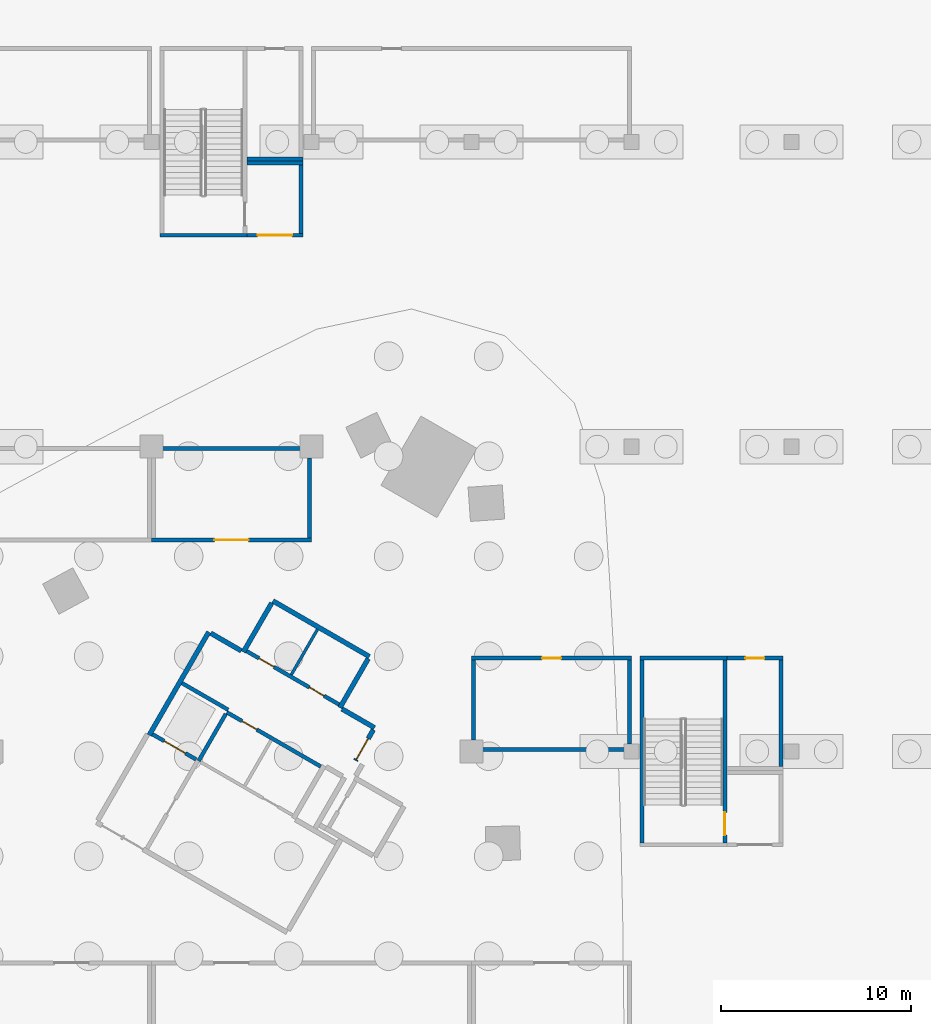
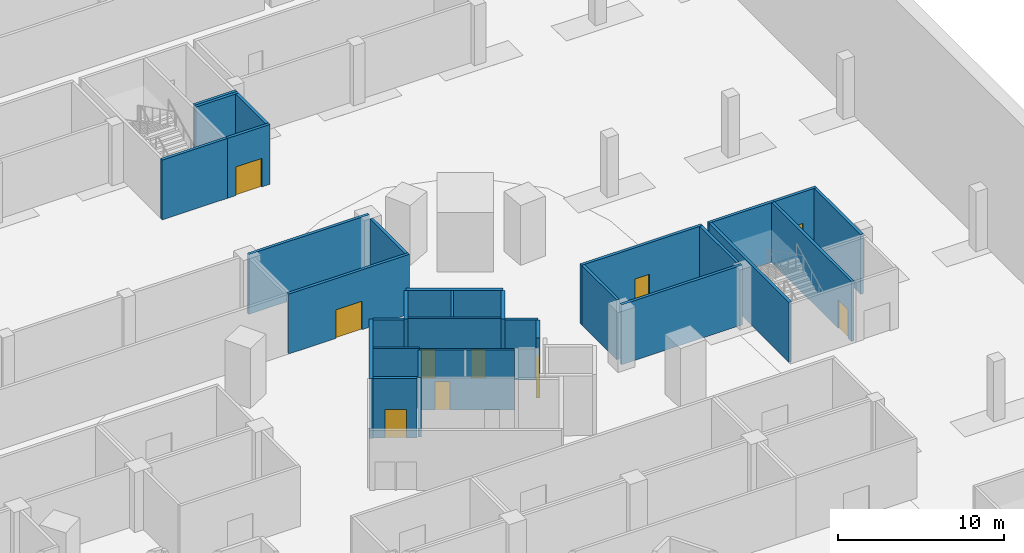
# One storey, part 20 of 46: 30 walls, 10 doors, 10 openings.
"""IFC4 building model written with IfcOpenShell, lengths in metres."""

from ifc_helpers import new_model, si_unit, direction, frame, frame_2d, origin, place, context, subcontext, project, spatial, rectangle, extrude, material, layer, layer_set, type_object, element, fill, save


model = new_model("IFC4")

# Units and contexts
model_context = context("Model", 3, precision=1e-05, world=origin(), true_north=direction((0.0, 1.0)))
body_context = subcontext(model_context, "Body", "Model", "MODEL_VIEW")
ifc_project = project(units=[si_unit("LENGTHUNIT", "METRE"), si_unit("AREAUNIT", "SQUARE_METRE"), si_unit("VOLUMEUNIT", "CUBIC_METRE"), si_unit("PLANEANGLEUNIT", "RADIAN"), si_unit("MASSUNIT", "GRAM", prefix="KILO")], contexts=[model_context])

# Site, building, storey
site_placement = place(None, origin())
site = spatial("IfcSite", under=ifc_project, at=site_placement, CompositionType="ELEMENT")
building_placement = place(site_placement, origin())
building = spatial("IfcBuilding", under=site, at=building_placement, Name="Tamra Quay Hotel Tower", CompositionType="ELEMENT")
storey_placement = place(building_placement, frame((0.0, 0.0, -12.0)))
storey = spatial("IfcBuildingStorey", under=building, at=storey_placement, Name="B3", CompositionType="ELEMENT", Elevation=-12.0)

# Wall
ifc_material_1 = material(Name="Blockwork", Category="masonry")
ifc_layer_1 = layer(ifc_material_1, 0.199951171875)
ifc_layer_set_1 = layer_set([ifc_layer_1], Name="Car park room wall 200")
wall_type_1 = type_object("IfcWallType", Name="Car park room wall 200", PredefinedType="PARTITIONING", material=ifc_layer_set_1)
wall_1_placement = place(storey_placement, frame((20.10009765625, 16.10009765625, 0.0), z_axis=(0.0, 0.0, 1.0), x_axis=(1.0, 0.0, 0.0)))
element("IfcWall", 1, at=wall_1_placement, inside=storey, type_object=wall_type_1, Name="PW", PredefinedType="PARTITIONING", context=body_context, shape_type="SweptSolid", body=[
    extrude(rectangle(XDim=8.39990234375, YDim=0.199951171875, at=frame_2d((4.199951171875, 0.0))), origin(), (0.0, 0.0, 1.0), 4.39990234375),
])

# Wall, opening, door
wall_2_placement = place(storey_placement, frame((20.10009765625, 20.89990234375, 0.0), z_axis=(0.0, 0.0, 1.0), x_axis=(1.0, 0.0, 0.0)))
wall_2 = element("IfcWall", 2, at=wall_2_placement, inside=storey, type_object=wall_type_1, Name="PW", PredefinedType="PARTITIONING", context=body_context, shape_type="SweptSolid", body=[
    extrude(rectangle(XDim=8.39990234375, YDim=0.199951171875, at=frame_2d((4.199951171875, 0.0))), origin(), (0.0, 0.0, 1.0), 4.39990234375),
])
opening_1_placement = place(wall_2_placement, frame((3.699951171875, 0.0, 0.0)))
opening_1 = element("IfcOpeningElement", 3, at=opening_1_placement, cuts=wall_2, Name="Opening PD1", PredefinedType="OPENING", context=body_context, shape_type="SweptSolid", body=[
    extrude(rectangle(XDim=1.0, YDim=2.10009765625, at=frame_2d((0.5, 1.050048828125))), frame((0.0, 0.10986328125, 0.0), z_axis=(0.0, -1.0, 0.0), x_axis=(1.0, 0.0, 0.0)), (0.0, 0.0, 1.0), 0.219970703125),
])
ifc_material_2 = material(Name="Car park door 1000 x 2100")
door_type_1 = type_object("IfcDoorType", Name="Car park door 1000 x 2100", OperationType="NOTDEFINED", PredefinedType="DOOR", material=ifc_material_2)
door_1_placement = place(opening_1_placement, origin())
door_1 = element("IfcDoor", 4, at=door_1_placement, inside=storey, type_object=door_type_1, Name="PD1", OperationType="SINGLE_SWING_LEFT", OverallHeight=2.10009765625, OverallWidth=1.0, PredefinedType="DOOR", context=body_context, shape_type="SweptSolid", body=[
    extrude(rectangle(XDim=1.0, YDim=2.10009765625, at=frame_2d((0.5, 1.050048828125))), frame((0.0, 0.02490234375, 0.0), z_axis=(0.0, -1.0, 0.0), x_axis=(1.0, 0.0, 0.0)), (0.0, 0.0, 1.0), 0.050048828125),
])
fill(opening_1, door_1)

# Walls
wall_3_placement = place(storey_placement, frame((20.199951171875, 16.60009765625, 0.0), z_axis=(0.0, 0.0, 1.0), x_axis=(0.0, 1.0, 0.0)))
element("IfcWall", 5, at=wall_3_placement, inside=storey, type_object=wall_type_1, Name="PW", PredefinedType="PARTITIONING", context=body_context, shape_type="SweptSolid", body=[
    extrude(rectangle(XDim=4.199951171875, YDim=0.199951171875, at=frame_2d((2.10009765625, 0.0))), origin(), (0.0, 0.0, 1.0), 4.39990234375),
])
wall_4_placement = place(storey_placement, frame((28.39990234375, 16.39990234375, 0.0), z_axis=(0.0, 0.0, 1.0), x_axis=(0.0, 1.0, 0.0)))
element("IfcWall", 6, at=wall_4_placement, inside=storey, type_object=wall_type_1, Name="PW", PredefinedType="PARTITIONING", context=body_context, shape_type="SweptSolid", body=[
    extrude(rectangle(XDim=4.400146484375, YDim=0.199951171875, at=frame_2d((2.2001953125, 0.0))), origin(), (0.0, 0.0, 1.0), 4.39990234375),
])

# Wall, opening, door
wall_5_placement = place(storey_placement, frame((3.300048828125, 27.10009765625, 0.0), z_axis=(0.0, 0.0, 1.0), x_axis=(1.0, 0.0, 0.0)))
wall_5 = element("IfcWall", 7, at=wall_5_placement, inside=storey, type_object=wall_type_1, Name="PW", PredefinedType="PARTITIONING", context=body_context, shape_type="SweptSolid", body=[
    extrude(rectangle(XDim=8.39990234375, YDim=0.199951171875, at=frame_2d((4.199951171875, 0.0))), origin(), (0.0, 0.0, 1.0), 4.39990234375),
])
opening_2_placement = place(wall_5_placement, frame((3.300048828125, 0.0, 0.0)))
opening_2 = element("IfcOpeningElement", 8, at=opening_2_placement, cuts=wall_5, Name="Opening PD2", PredefinedType="OPENING", context=body_context, shape_type="SweptSolid", body=[
    extrude(rectangle(XDim=1.800048828125, YDim=2.10009765625, at=frame_2d((0.89990234375, 1.050048828125))), frame((0.0, 0.10986328125, 0.0), z_axis=(0.0, -1.0, 0.0), x_axis=(1.0, 0.0, 0.0)), (0.0, 0.0, 1.0), 0.219970703125),
])
ifc_material_3 = material(Name="Plant door 1800 x 2100")
door_type_2 = type_object("IfcDoorType", Name="Plant door 1800 x 2100", OperationType="DOUBLE_DOOR_SINGLE_SWING", PredefinedType="DOOR", material=ifc_material_3)
door_2_placement = place(opening_2_placement, origin())
door_2 = element("IfcDoor", 9, at=door_2_placement, inside=storey, type_object=door_type_2, Name="PD2", OperationType="DOUBLE_DOOR_SINGLE_SWING", OverallHeight=2.10009765625, OverallWidth=1.800048828125, PredefinedType="DOOR", context=body_context, shape_type="SweptSolid", body=[
    extrude(rectangle(XDim=1.800048828125, YDim=2.10009765625, at=frame_2d((0.89990234375, 1.050048828125))), frame((0.0, 0.02490234375, 0.0), z_axis=(0.0, -1.0, 0.0), x_axis=(1.0, 0.0, 0.0)), (0.0, 0.0, 1.0), 0.050048828125),
])
fill(opening_2, door_2)

# Walls
wall_6_placement = place(storey_placement, frame((3.300048828125, 31.89990234375, 0.0), z_axis=(0.0, 0.0, 1.0), x_axis=(1.0, 0.0, 0.0)))
element("IfcWall", 10, at=wall_6_placement, inside=storey, type_object=wall_type_1, Name="PW", PredefinedType="PARTITIONING", context=body_context, shape_type="SweptSolid", body=[
    extrude(rectangle(XDim=8.39990234375, YDim=0.199951171875, at=frame_2d((4.199951171875, 0.0))), origin(), (0.0, 0.0, 1.0), 4.39990234375),
])
wall_7_placement = place(storey_placement, frame((11.60009765625, 27.199951171875, 0.0), z_axis=(0.0, 0.0, 1.0), x_axis=(0.0, 1.0, 0.0)))
element("IfcWall", 11, at=wall_7_placement, inside=storey, type_object=wall_type_1, Name="PW", PredefinedType="PARTITIONING", context=body_context, shape_type="SweptSolid", body=[
    extrude(rectangle(XDim=4.199951171875, YDim=0.199951171875, at=frame_2d((2.10009765625, 0.0))), origin(), (0.0, 0.0, 1.0), 4.39990234375),
])

# Wall, opening, door
wall_8_placement = place(storey_placement, frame((8.300048828125, 43.10009765625, 0.0), z_axis=(0.0, 0.0, 1.0), x_axis=(1.0, 0.0, 0.0)))
wall_8 = element("IfcWall", 12, at=wall_8_placement, inside=storey, type_object=wall_type_1, Name="PW", PredefinedType="PARTITIONING", context=body_context, shape_type="SweptSolid", body=[
    extrude(rectangle(XDim=2.949951171875, YDim=0.199951171875, at=frame_2d((1.47509765625, 0.0))), origin(), (0.0, 0.0, 1.0), 4.39990234375),
])
opening_3_placement = place(wall_8_placement, frame((0.574951171875, 0.0, 0.0)))
opening_3 = element("IfcOpeningElement", 13, at=opening_3_placement, cuts=wall_8, Name="Opening PD2", PredefinedType="OPENING", context=body_context, shape_type="SweptSolid", body=[
    extrude(rectangle(XDim=1.800048828125, YDim=2.10009765625, at=frame_2d((0.89990234375, 1.050048828125))), frame((0.0, 0.10986328125, 0.0), z_axis=(0.0, -1.0, 0.0), x_axis=(1.0, 0.0, 0.0)), (0.0, 0.0, 1.0), 0.219970703125),
])
door_3_placement = place(opening_3_placement, origin())
door_3 = element("IfcDoor", 14, at=door_3_placement, inside=storey, type_object=door_type_2, Name="PD2", OperationType="DOUBLE_DOOR_SINGLE_SWING", OverallHeight=2.10009765625, OverallWidth=1.800048828125, PredefinedType="DOOR", context=body_context, shape_type="SweptSolid", body=[
    extrude(rectangle(XDim=1.800048828125, YDim=2.10009765625, at=frame_2d((0.89990234375, 1.050048828125))), frame((0.0, 0.02490234375, 0.0), z_axis=(0.0, -1.0, 0.0), x_axis=(1.0, 0.0, 0.0)), (0.0, 0.0, 1.0), 0.050048828125),
])
fill(opening_3, door_3)

# Walls
wall_9_placement = place(storey_placement, frame((8.300048828125, 46.89990234375, 0.0), z_axis=(0.0, 0.0, 1.0), x_axis=(1.0, 0.0, 0.0)))
element("IfcWall", 15, at=wall_9_placement, inside=storey, type_object=wall_type_1, Name="PW", PredefinedType="PARTITIONING", context=body_context, shape_type="SweptSolid", body=[
    extrude(rectangle(XDim=2.949951171875, YDim=0.199951171875, at=frame_2d((1.47509765625, 0.0))), origin(), (0.0, 0.0, 1.0), 4.39990234375),
])
wall_10_placement = place(storey_placement, frame((11.14990234375, 43.199951171875, 0.0), z_axis=(0.0, 0.0, 1.0), x_axis=(0.0, 1.0, 0.0)))
element("IfcWall", 16, at=wall_10_placement, inside=storey, type_object=wall_type_1, Name="PW", PredefinedType="PARTITIONING", context=body_context, shape_type="SweptSolid", body=[
    extrude(rectangle(XDim=3.60009765625, YDim=0.199951171875, at=frame_2d((1.800048828125, 0.0))), origin(), (0.0, 0.0, 1.0), 4.39990234375),
])
wall_11_placement = place(storey_placement, frame((8.300048828125, 47.10009765625, 0.0), z_axis=(0.0, 0.0, 1.0), x_axis=(1.0, 0.0, 0.0)))
element("IfcWall", 17, at=wall_11_placement, inside=storey, type_object=wall_type_1, Name="PW", PredefinedType="PARTITIONING", context=body_context, shape_type="SweptSolid", body=[
    extrude(rectangle(XDim=2.949951171875, YDim=0.199951171875, at=frame_2d((1.47509765625, 0.0))), origin(), (0.0, 0.0, 1.0), 4.39990234375),
])

# Wall, opening, door
wall_12_placement = place(storey_placement, frame((33.5, 20.89990234375, 0.0), z_axis=(0.0, 0.0, 1.0), x_axis=(1.0, 0.0, 0.0)))
wall_12 = element("IfcWall", 18, at=wall_12_placement, inside=storey, type_object=wall_type_1, Name="PW", PredefinedType="PARTITIONING", context=body_context, shape_type="SweptSolid", body=[
    extrude(rectangle(XDim=2.949951171875, YDim=0.199951171875, at=frame_2d((1.47509765625, 0.0))), origin(), (0.0, 0.0, 1.0), 4.39990234375),
])
opening_4_placement = place(wall_12_placement, frame((0.97509765625, 0.0, 0.0)))
opening_4 = element("IfcOpeningElement", 19, at=opening_4_placement, cuts=wall_12, Name="Opening PD1", PredefinedType="OPENING", context=body_context, shape_type="SweptSolid", body=[
    extrude(rectangle(XDim=1.0, YDim=2.10009765625, at=frame_2d((0.5, 1.050048828125))), frame((0.0, 0.10986328125, 0.0), z_axis=(0.0, -1.0, 0.0), x_axis=(1.0, 0.0, 0.0)), (0.0, 0.0, 1.0), 0.219970703125),
])
door_4_placement = place(opening_4_placement, origin())
door_4 = element("IfcDoor", 20, at=door_4_placement, inside=storey, type_object=door_type_1, Name="PD1", OperationType="SINGLE_SWING_LEFT", OverallHeight=2.10009765625, OverallWidth=1.0, PredefinedType="DOOR", context=body_context, shape_type="SweptSolid", body=[
    extrude(rectangle(XDim=1.0, YDim=2.10009765625, at=frame_2d((0.5, 1.050048828125))), frame((0.0, 0.02490234375, 0.0), z_axis=(0.0, -1.0, 0.0), x_axis=(1.0, 0.0, 0.0)), (0.0, 0.0, 1.0), 0.050048828125),
])
fill(opening_4, door_4)

# Wall
wall_13_placement = place(storey_placement, frame((36.35009765625, 15.199951171875, 0.0), z_axis=(0.0, 0.0, 1.0), x_axis=(0.0, 1.0, 0.0)))
element("IfcWall", 21, at=wall_13_placement, inside=storey, type_object=wall_type_1, Name="PW", PredefinedType="PARTITIONING", context=body_context, shape_type="SweptSolid", body=[
    extrude(rectangle(XDim=5.60009765625, YDim=0.199951171875, at=frame_2d((2.800048828125, 0.0))), origin(), (0.0, 0.0, 1.0), 4.39990234375),
])

# Wall, openings, doors
ifc_material_4 = material(Name="Concrete M70", Category="concrete")
ifc_layer_2 = layer(ifc_material_4, 0.199951171875)
ifc_layer_set_2 = layer_set([ifc_layer_2], Name="Concrete M70 core wall 200")
wall_type_2 = type_object("IfcWallType", Name="Concrete M70 core wall 200", PredefinedType="SHEAR", material=ifc_layer_set_2)
wall_14_placement = place(storey_placement, frame((8.294189453125, 21.26416015625, 0.0), z_axis=(0.0, 0.0, 1.0), x_axis=(0.866025812541, -0.499999292012, 0.0)))
wall_14 = element("IfcWall", 22, at=wall_14_placement, inside=storey, type_object=wall_type_2, Name="CW2", PredefinedType="SHEAR", context=body_context, shape_type="SweptSolid", body=[
    extrude(rectangle(XDim=5.59814453125, YDim=0.199951171875, at=frame_2d((2.799072265625, 0.0))), origin(), (0.0, 0.0, 1.0), 4.39990234375),
])
opening_5_placement = place(wall_14_placement, frame((3.798828125, 0.0, 0.0)))
opening_5 = element("IfcOpeningElement", 23, at=opening_5_placement, cuts=wall_14, Name="Opening D2", PredefinedType="OPENING", context=body_context, shape_type="SweptSolid", body=[
    extrude(rectangle(XDim=0.89990234375, YDim=2.10009765625, at=frame_2d((0.449951171875, 1.050048828125))), frame((0.0, 0.10986328125, 0.0), z_axis=(0.0, -1.0, 0.0), x_axis=(1.0, 0.0, 0.0)), (0.0, 0.0, 1.0), 0.219970703125),
])
opening_6_placement = place(wall_14_placement, frame((0.748779296875, 0.0, 0.0)))
opening_6 = element("IfcOpeningElement", 24, at=opening_6_placement, cuts=wall_14, Name="Opening D2", PredefinedType="OPENING", context=body_context, shape_type="SweptSolid", body=[
    extrude(rectangle(XDim=0.89990234375, YDim=2.10009765625, at=frame_2d((0.449951171875, 1.050048828125))), frame((0.0, 0.10986328125, 0.0), z_axis=(0.0, -1.0, 0.0), x_axis=(1.0, 0.0, 0.0)), (0.0, 0.0, 1.0), 0.219970703125),
])
ifc_material_5 = material(Name="Core door D2 900x2100 LH")
door_type_3 = type_object("IfcDoorType", Name="Core door D2 900x2100 LH", OperationType="NOTDEFINED", PredefinedType="DOOR", material=ifc_material_5)
door_5_placement = place(opening_5_placement, origin())
door_5 = element("IfcDoor", 25, at=door_5_placement, inside=storey, type_object=door_type_3, Name="D2", OperationType="SINGLE_SWING_LEFT", OverallHeight=2.10009765625, OverallWidth=0.89990234375, PredefinedType="DOOR", context=body_context, shape_type="SweptSolid", body=[
    extrude(rectangle(XDim=0.89990234375, YDim=2.10009765625, at=frame_2d((0.449951171875, 1.050048828125))), frame((0.0, 0.02490234375, 0.0), z_axis=(0.0, -1.0, 0.0), x_axis=(1.0, 0.0, 0.0)), (0.0, 0.0, 1.0), 0.050048828125),
])
fill(opening_5, door_5)
ifc_material_6 = material(Name="Core door D2 900x2100 RH")
door_type_4 = type_object("IfcDoorType", Name="Core door D2 900x2100 RH", OperationType="NOTDEFINED", PredefinedType="DOOR", material=ifc_material_6)
door_6_placement = place(opening_6_placement, origin())
door_6 = element("IfcDoor", 26, at=door_6_placement, inside=storey, type_object=door_type_4, Name="D2", OperationType="SINGLE_SWING_RIGHT", OverallHeight=2.10009765625, OverallWidth=0.89990234375, PredefinedType="DOOR", context=body_context, shape_type="SweptSolid", body=[
    extrude(rectangle(XDim=0.89990234375, YDim=2.10009765625, at=frame_2d((0.449951171875, 1.050048828125))), frame((0.0, 0.02490234375, 0.0), z_axis=(0.0, -1.0, 0.0), x_axis=(1.0, 0.0, 0.0)), (0.0, 0.0, 1.0), 0.050048828125),
])
fill(opening_6, door_6)

# Wall, opening, door
wall_15_placement = place(storey_placement, frame((12.18505859375, 15.20703125, 0.0), z_axis=(0.0, 0.0, 1.0), x_axis=(-0.866020080793, 0.500009219579, 0.0)))
wall_15 = element("IfcWall", 27, at=wall_15_placement, inside=storey, type_object=wall_type_2, Name="CW2", PredefinedType="SHEAR", context=body_context, shape_type="SweptSolid", body=[
    extrude(rectangle(XDim=5.69921875, YDim=0.199951171875, at=frame_2d((2.849609375, 0.0))), origin(), (0.0, 0.0, 1.0), 4.39990234375),
])
opening_7_placement = place(wall_15_placement, frame((3.8740234375, 0.0, 0.0)))
opening_7 = element("IfcOpeningElement", 28, at=opening_7_placement, cuts=wall_15, Name="Opening D2", PredefinedType="OPENING", context=body_context, shape_type="SweptSolid", body=[
    extrude(rectangle(XDim=0.89990234375, YDim=2.10009765625, at=frame_2d((0.449951171875, 1.050048828125))), frame((0.0, 0.10986328125, 0.0), z_axis=(0.0, -1.0, 0.0), x_axis=(1.0, 0.0, 0.0)), (0.0, 0.0, 1.0), 0.219970703125),
])
door_7_placement = place(opening_7_placement, origin())
door_7 = element("IfcDoor", 29, at=door_7_placement, inside=storey, type_object=door_type_4, Name="D2", OperationType="SINGLE_SWING_RIGHT", OverallHeight=2.10009765625, OverallWidth=0.89990234375, PredefinedType="DOOR", context=body_context, shape_type="SweptSolid", body=[
    extrude(rectangle(XDim=0.89990234375, YDim=2.10009765625, at=frame_2d((0.449951171875, 1.050048828125))), frame((0.0, 0.02490234375, 0.0), z_axis=(0.0, -1.0, 0.0), x_axis=(1.0, 0.0, 0.0)), (0.0, 0.0, 1.0), 0.050048828125),
])
fill(opening_7, door_7)

# Wall
wall_16_placement = place(storey_placement, frame((7.199462890625, 17.969970703125, 0.0), z_axis=(0.0, 0.0, 1.0), x_axis=(-0.499972122318, -0.866041498374, 0.0)))
element("IfcWall", 30, at=wall_16_placement, inside=storey, type_object=wall_type_2, Name="CW2", PredefinedType="SHEAR", context=body_context, shape_type="SweptSolid", body=[
    extrude(rectangle(XDim=2.849853515625, YDim=0.199951171875, at=frame_2d((1.4248046875, 0.0))), origin(), (0.0, 0.0, 1.0), 4.39990234375),
])

# Wall, opening, door
wall_17_placement = place(storey_placement, frame((5.64453125, 15.576904296875, 0.0), z_axis=(0.0, 0.0, 1.0), x_axis=(-0.866016748302, 0.500014991436, 0.0)))
wall_17 = element("IfcWall", 31, at=wall_17_placement, inside=storey, type_object=wall_type_2, Name="CW2", PredefinedType="SHEAR", context=body_context, shape_type="SweptSolid", body=[
    extrude(rectangle(XDim=2.64892578125, YDim=0.199951171875, at=frame_2d((1.324462890625, 0.0))), origin(), (0.0, 0.0, 1.0), 4.39990234375),
])
opening_8_placement = place(wall_17_placement, frame((0.64990234375, 0.0, 0.0)))
opening_8 = element("IfcOpeningElement", 32, at=opening_8_placement, cuts=wall_17, Name="Opening LD", PredefinedType="OPENING", context=body_context, shape_type="SweptSolid", body=[
    extrude(rectangle(XDim=1.300048828125, YDim=2.10009765625, at=frame_2d((0.64990234375, 1.050048828125))), frame((0.0, 0.10986328125, 0.0), z_axis=(0.0, -1.0, 0.0), x_axis=(1.0, 0.0, 0.0)), (0.0, 0.0, 1.0), 0.219970703125),
])
ifc_material_7 = material(Name="Landing door LD 1300 sliding to right")
door_type_5 = type_object("IfcDoorType", Name="Landing door LD 1300 sliding to right", OperationType="NOTDEFINED", PredefinedType="DOOR", material=ifc_material_7)
door_8_placement = place(opening_8_placement, origin())
door_8 = element("IfcDoor", 33, at=door_8_placement, inside=storey, type_object=door_type_5, Name="LD", OperationType="SLIDING_TO_RIGHT", OverallHeight=2.10009765625, OverallWidth=1.300048828125, PredefinedType="DOOR", context=body_context, shape_type="SweptSolid", body=[
    extrude(rectangle(XDim=1.300048828125, YDim=2.10009765625, at=frame_2d((0.64990234375, 1.050048828125))), frame((0.0, 0.02490234375, 0.0), z_axis=(0.0, -1.0, 0.0), x_axis=(1.0, 0.0, 0.0)), (0.0, 0.0, 1.0), 0.050048828125),
])
fill(opening_8, door_8)

# Walls
wall_18_placement = place(storey_placement, frame((4.900634765625, 19.5859375, 0.0), z_axis=(0.0, 0.0, 1.0), x_axis=(0.866022890907, -0.500004352405, 0.0)))
element("IfcWall", 34, at=wall_18_placement, inside=storey, type_object=wall_type_2, Name="CW2", PredefinedType="SHEAR", context=body_context, shape_type="SweptSolid", body=[
    extrude(rectangle(XDim=2.798828125, YDim=0.199951171875, at=frame_2d((1.3994140625, 0.0))), origin(), (0.0, 0.0, 1.0), 4.39990234375),
])
ifc_layer_3 = layer(ifc_material_4, 0.25)
ifc_layer_set_3 = layer_set([ifc_layer_3], Name="Concrete M70 core wall 250")
wall_type_3 = type_object("IfcWallType", Name="Concrete M70 core wall 250", PredefinedType="SHEAR", material=ifc_layer_set_3)
wall_19_placement = place(storey_placement, frame((3.178955078125, 16.856201171875, 0.0), z_axis=(0.0, 0.0, 1.0), x_axis=(0.500004234368, 0.866022959057, 0.0)))
element("IfcWall", 35, at=wall_19_placement, inside=storey, type_object=wall_type_3, Name="CW1", PredefinedType="SHEAR", context=body_context, shape_type="SweptSolid", body=[
    extrude(rectangle(XDim=6.25, YDim=0.25, at=frame_2d((3.125, 0.0))), origin(), (0.0, 0.0, 1.0), 4.39990234375),
])
wall_20_placement = place(storey_placement, frame((9.672607421875, 23.9033203125, 0.0), z_axis=(0.0, 0.0, 1.0), x_axis=(0.86603616409, -0.499981362141, 0.0)))
element("IfcWall", 36, at=wall_20_placement, inside=storey, type_object=wall_type_3, Name="CW1", PredefinedType="SHEAR", context=body_context, shape_type="SweptSolid", body=[
    extrude(rectangle(XDim=5.849853515625, YDim=0.25, at=frame_2d((2.9248046875, 0.0))), origin(), (0.0, 0.0, 1.0), 4.39990234375),
])
for number, where, z_axis, x_axis, name in (
    (37, (8.12255859375, 21.21875, 0.0), (0.0, 0.0, 1.0), (0.499987686533, 0.866032512851, 0.0), "CW1"),
    (38, (14.67626953125, 20.869873046875, 0.0), (0.0, 0.0, 1.0), (-0.499987686533, -0.866032512851, 0.0), "CW1"),
):
    element("IfcWall", number, at=place(storey_placement, frame(where, z_axis=z_axis, x_axis=x_axis)), inside=storey, type_object=wall_type_3, Name=name, PredefinedType="SHEAR", context=body_context, shape_type="SweptSolid", body=[
        extrude(rectangle(XDim=2.974609375, YDim=0.25, at=frame_2d((1.4873046875, 0.0))), origin(), (0.0, 0.0, 1.0), 4.39990234375),
    ])
wall_21_placement = place(storey_placement, frame((13.29736328125, 18.23095703125, 0.0), z_axis=(0.0, 0.0, 1.0), x_axis=(0.866043531843, -0.499968599967, 0.0)))
element("IfcWall", 39, at=wall_21_placement, inside=storey, type_object=wall_type_3, Name="CW1", PredefinedType="SHEAR", context=body_context, shape_type="SweptSolid", body=[
    extrude(rectangle(XDim=1.974853515625, YDim=0.25, at=frame_2d((0.9873046875, 0.0))), origin(), (0.0, 0.0, 1.0), 4.39990234375),
])
wall_22_placement = place(storey_placement, frame((6.41259765625, 22.2060546875, 0.0), z_axis=(0.0, 0.0, 1.0), x_axis=(0.866016279763, -0.500015802937, 0.0)))
element("IfcWall", 40, at=wall_22_placement, inside=storey, type_object=wall_type_3, Name="CW1", PredefinedType="SHEAR", context=body_context, shape_type="SweptSolid", body=[
    extrude(rectangle(XDim=1.84912109375, YDim=0.25, at=frame_2d((0.924560546875, 0.0))), origin(), (0.0, 0.0, 1.0), 4.39990234375),
])

# Wall, opening, door
wall_23_placement = place(storey_placement, frame((14.94482421875, 17.13525390625, 0.0), z_axis=(0.0, 0.0, 1.0), x_axis=(-0.499983108224, -0.866035156036, 0.0)))
wall_23 = element("IfcWall", 41, at=wall_23_placement, inside=storey, type_object=wall_type_3, Name="CW1", PredefinedType="SHEAR", context=body_context, shape_type="SweptSolid", body=[
    extrude(rectangle(XDim=1.86474609375, YDim=0.25, at=frame_2d((0.932373046875, 0.0))), origin(), (0.0, 0.0, 1.0), 4.39990234375),
])
opening_9_placement = place(wall_23_placement, frame((0.53466796875, 0.0, 0.0)))
opening_9 = element("IfcOpeningElement", 42, at=opening_9_placement, cuts=wall_23, Name="Opening FD3", PredefinedType="OPENING", context=body_context, shape_type="SweptSolid", body=[
    extrude(rectangle(XDim=1.25, YDim=2.10009765625, at=frame_2d((0.625, 1.050048828125))), frame((0.0, 0.135009765625, 0.0), z_axis=(0.0, -1.0, 0.0), x_axis=(1.0, 0.0, 0.0)), (0.0, 0.0, 1.0), 0.27001953125),
])
ifc_material_8 = material(Name="Core door FD3 1250x2100 LH")
door_type_6 = type_object("IfcDoorType", Name="Core door FD3 1250x2100 LH", OperationType="NOTDEFINED", PredefinedType="DOOR", material=ifc_material_8)
door_9_placement = place(opening_9_placement, origin())
door_9 = element("IfcDoor", 43, at=door_9_placement, inside=storey, type_object=door_type_6, Name="FD3", OperationType="SINGLE_SWING_LEFT", OverallHeight=2.10009765625, OverallWidth=1.25, PredefinedType="DOOR", context=body_context, shape_type="SweptSolid", body=[
    extrude(rectangle(XDim=1.25, YDim=2.10009765625, at=frame_2d((0.625, 1.050048828125))), frame((0.0, 0.02490234375, 0.0), z_axis=(0.0, -1.0, 0.0), x_axis=(1.0, 0.0, 0.0)), (0.0, 0.0, 1.0), 0.050048828125),
])
fill(opening_9, door_9)

# Walls
ifc_layer_4 = layer(ifc_material_4, 0.199951171875)
ifc_layer_set_4 = layer_set([ifc_layer_4], Name="Concrete M70 stair enclosure wall 200")
wall_type_4 = type_object("IfcWallType", Name="Concrete M70 stair enclosure wall 200", PredefinedType="SOLIDWALL", material=ifc_layer_set_4)
wall_24_placement = place(storey_placement, frame((8.300048828125, 43.10009765625, 0.0), z_axis=(0.0, 0.0, 1.0), x_axis=(-1.0, 0.0, 0.0)))
element("IfcWall", 44, at=wall_24_placement, inside=storey, type_object=wall_type_4, Name="SEW", PredefinedType="SOLIDWALL", context=body_context, shape_type="SweptSolid", body=[
    extrude(rectangle(XDim=4.550048828125, YDim=0.199951171875, at=frame_2d((2.27490234375, 0.0))), origin(), (0.0, 0.0, 1.0), 4.39990234375),
])
wall_25_placement = place(storey_placement, frame((29.050048828125, 11.199951171875, 0.0), z_axis=(0.0, 0.0, 1.0), x_axis=(0.0, 1.0, 0.0)))
element("IfcWall", 45, at=wall_25_placement, inside=storey, type_object=wall_type_4, Name="SEW", PredefinedType="SOLIDWALL", context=body_context, shape_type="SweptSolid", body=[
    extrude(rectangle(XDim=9.60009765625, YDim=0.199951171875, at=frame_2d((4.800048828125, 0.0))), origin(), (0.0, 0.0, 1.0), 4.39990234375),
])

# Wall, opening, door
wall_26_placement = place(storey_placement, frame((33.39990234375, 11.199951171875, 0.0), z_axis=(0.0, 0.0, 1.0), x_axis=(0.0, 1.0, 0.0)))
wall_26 = element("IfcWall", 46, at=wall_26_placement, inside=storey, type_object=wall_type_4, Name="SEW", PredefinedType="SOLIDWALL", context=body_context, shape_type="SweptSolid", body=[
    extrude(rectangle(XDim=9.60009765625, YDim=0.199951171875, at=frame_2d((4.800048828125, 0.0))), origin(), (0.0, 0.0, 1.0), 4.39990234375),
])
opening_10_placement = place(wall_26_placement, frame((0.39990234375, 0.0, 0.0)))
opening_10 = element("IfcOpeningElement", 47, at=opening_10_placement, cuts=wall_26, Name="Opening SD1", PredefinedType="OPENING", context=body_context, shape_type="SweptSolid", body=[
    extrude(rectangle(XDim=1.199951171875, YDim=2.10009765625, at=frame_2d((0.60009765625, 1.050048828125))), frame((0.0, 0.10986328125, 0.0), z_axis=(0.0, -1.0, 0.0), x_axis=(1.0, 0.0, 0.0)), (0.0, 0.0, 1.0), 0.219970703125),
])
ifc_material_9 = material(Name="Stair door 1200 x 2100")
door_type_7 = type_object("IfcDoorType", Name="Stair door 1200 x 2100", OperationType="NOTDEFINED", PredefinedType="DOOR", material=ifc_material_9)
door_10_placement = place(opening_10_placement, origin())
door_10 = element("IfcDoor", 48, at=door_10_placement, inside=storey, type_object=door_type_7, Name="SD1", OperationType="SINGLE_SWING_LEFT", OverallHeight=2.10009765625, OverallWidth=1.199951171875, PredefinedType="DOOR", context=body_context, shape_type="SweptSolid", body=[
    extrude(rectangle(XDim=1.199951171875, YDim=2.10009765625, at=frame_2d((0.60009765625, 1.050048828125))), frame((0.0, 0.02490234375, 0.0), z_axis=(0.0, -1.0, 0.0), x_axis=(1.0, 0.0, 0.0)), (0.0, 0.0, 1.0), 0.050048828125),
])
fill(opening_10, door_10)

# Walls
wall_27_placement = place(storey_placement, frame((28.949951171875, 20.89990234375, 0.0), z_axis=(0.0, 0.0, 1.0), x_axis=(1.0, 0.0, 0.0)))
element("IfcWall", 49, at=wall_27_placement, inside=storey, type_object=wall_type_4, Name="SEW", PredefinedType="SOLIDWALL", context=body_context, shape_type="SweptSolid", body=[
    extrude(rectangle(XDim=4.550048828125, YDim=0.199951171875, at=frame_2d((2.27490234375, 0.0))), origin(), (0.0, 0.0, 1.0), 4.39990234375),
])
ifc_layer_5 = layer(ifc_material_1, 0.14990234375)
ifc_layer_set_5 = layer_set([ifc_layer_5], Name="Core partition block 150")
wall_type_5 = type_object("IfcWallType", Name="Core partition block 150", PredefinedType="PARTITIONING", material=ifc_layer_set_5)
wall_28_placement = place(storey_placement, frame((10.638671875, 20.02685546875, 0.0), z_axis=(0.0, 0.0, 1.0), x_axis=(0.499988999718, 0.866031754707, 0.0)))
element("IfcWall", 50, at=wall_28_placement, inside=storey, type_object=wall_type_5, Name="CP1", PredefinedType="PARTITIONING", context=body_context, shape_type="SweptSolid", body=[
    extrude(rectangle(XDim=2.74853515625, YDim=0.14990234375, at=frame_2d((1.374267578125, 0.0))), origin(), (0.0, 0.0, 1.0), 4.39990234375),
])

save(model, "model.ifc")
